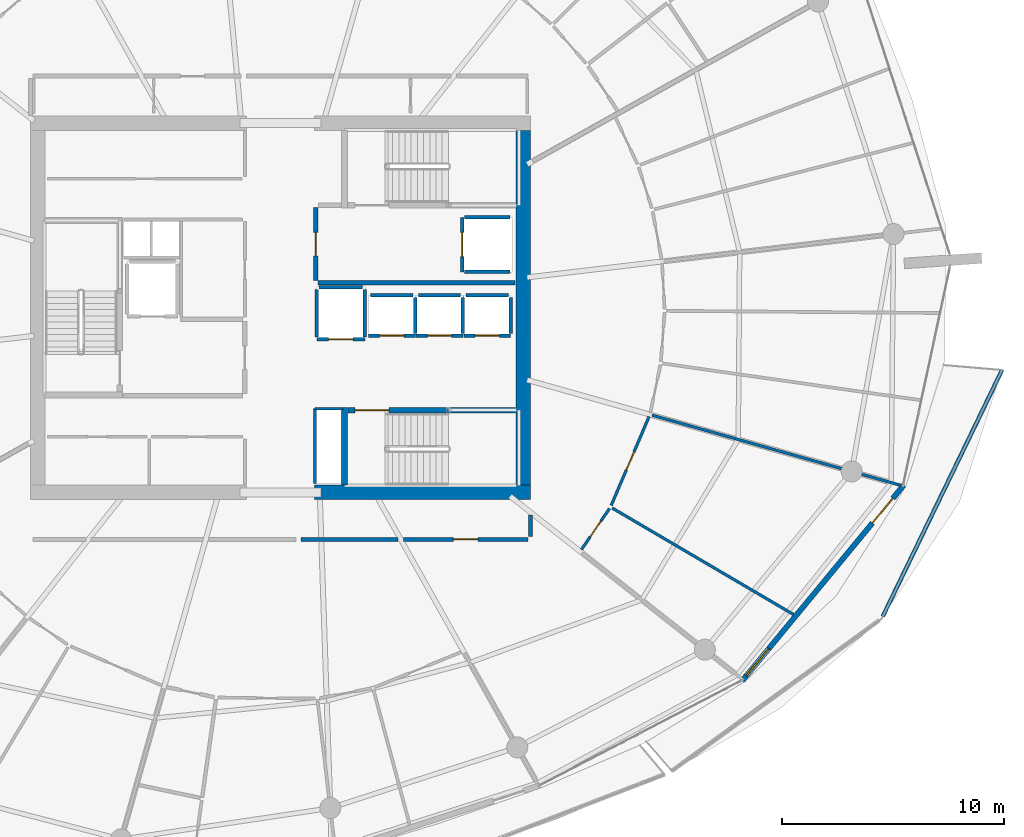
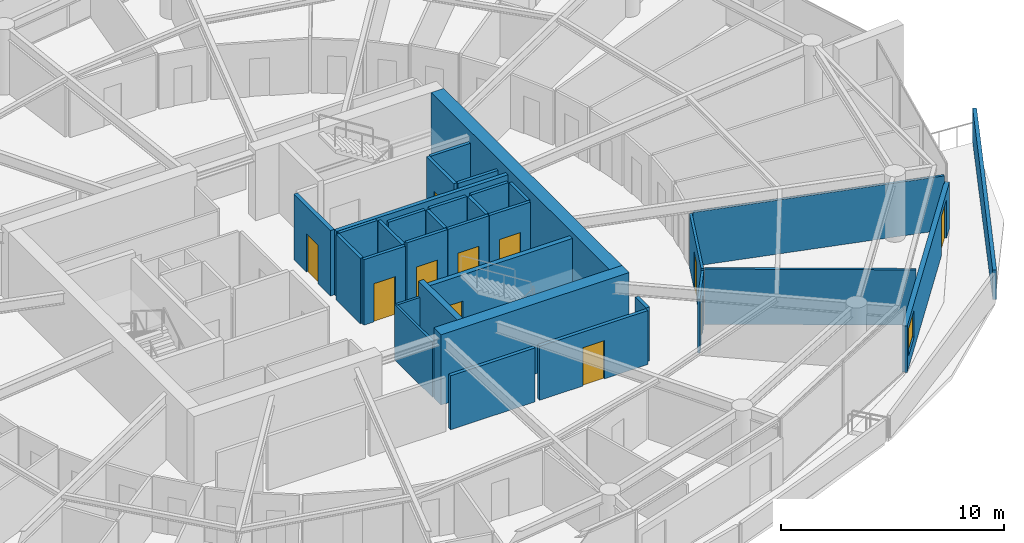
# One storey, part 20 of 30: 33 walls, 11 doors, 1 window, 12 openings.
"""IFC4 building model written with IfcOpenShell, lengths in metres."""

from ifc_helpers import new_model, si_unit, direction, frame, frame_2d, origin, place, context, subcontext, project, spatial, polyline, rectangle, outline, extrude, material, layer, layer_set, type_object, element, fill, save


model = new_model("IFC4")

# Units and contexts
model_context = context("Model", 3, precision=1e-05, world=origin(), true_north=direction((0.0, 1.0)))
body_context = subcontext(model_context, "Body", "Model", "MODEL_VIEW")
ifc_project = project(units=[si_unit("LENGTHUNIT", "METRE"), si_unit("AREAUNIT", "SQUARE_METRE"), si_unit("VOLUMEUNIT", "CUBIC_METRE"), si_unit("PLANEANGLEUNIT", "RADIAN"), si_unit("MASSUNIT", "GRAM", prefix="KILO")], contexts=[model_context])

# Site, building, storey
site_placement = place(None, origin())
site = spatial("IfcSite", under=ifc_project, at=site_placement, CompositionType="ELEMENT")
building_placement = place(site_placement, origin())
building = spatial("IfcBuilding", under=site, at=building_placement, Name="Kazma Halo Residences", CompositionType="ELEMENT")
storey_placement = place(building_placement, frame((0.0, 0.0, 244.39990234375)))
storey = spatial("IfcBuildingStorey", under=building, at=storey_placement, Name="L61", CompositionType="ELEMENT", Elevation=244.39990234375)

# Walls
ifc_material_1 = material(Name="White Concrete C50/60 Balustrade", Category="concrete")
ifc_layer_1 = layer(ifc_material_1, 0.179931640625)
ifc_layer_set_1 = layer_set([ifc_layer_1], Name="White Concrete C50/60 Balustrade")
wall_type_1 = type_object("IfcWallType", Name="WL-BAL-WAVE-180", PredefinedType="PARAPET", material=ifc_layer_set_1)
wall_1_placement = place(storey_placement, frame((75.594482421875, 28.07470703125, 0.0), z_axis=(0.0, 0.0, 1.0), x_axis=(0.435762237374, 0.900061815921, 0.0)))
element("IfcWall", 1, at=wall_1_placement, inside=storey, type_object=wall_type_1, Name="L61 white wave balustrade wall SE.2", PredefinedType="PARAPET", context=body_context, shape_type="SweptSolid", body=[
    extrude(outline(polyline([(0.0, 0.0), (12.362060546875, 0.0), (12.3623046875, 1.860107421875), (6.18115234375, 1.798095703125), (0.0, 1.632080078125), (0.0, 0.0)])), frame((0.0, 0.08984375, 0.0), z_axis=(0.0, -1.0, 0.0), x_axis=(1.0, 0.0, 0.0)), (0.0, 0.0, 1.0), 0.179931640625),
])
ifc_material_2 = material(Name="Concrete C60/75", Category="concrete")
ifc_layer_2 = layer(ifc_material_2, 0.64990234375)
ifc_layer_set_2 = layer_set([ifc_layer_2], Name="Concrete C60/75")
wall_type_2 = type_object("IfcWallType", Name="WL-CORE-650", PredefinedType="SHEAR", material=ifc_layer_set_2)
wall_2_placement = place(storey_placement, frame((49.949951171875, 33.675048828125, 0.0), z_axis=(0.0, 0.0, 1.0), x_axis=(1.0, 0.0, 0.0)))
element("IfcWall", 2, at=wall_2_placement, inside=storey, type_object=wall_type_2, Name="L61 central core shear wall SE", PredefinedType="SHEAR", context=body_context, shape_type="SweptSolid", body=[
    extrude(rectangle(XDim=9.75, YDim=0.64990234375, at=frame_2d((4.875, 0.0))), origin(), (0.0, 0.0, 1.0), 3.85009765625),
])
wall_3_placement = place(storey_placement, frame((59.375, 34.0, 0.0), z_axis=(0.0, 0.0, 1.0), x_axis=(0.0, 1.0, 0.0)))
element("IfcWall", 3, at=wall_3_placement, inside=storey, type_object=wall_type_2, Name="L61 central core shear wall E", PredefinedType="SHEAR", context=body_context, shape_type="SweptSolid", body=[
    extrude(rectangle(XDim=16.0, YDim=0.64990234375, at=frame_2d((8.0, 0.0))), origin(), (0.0, 0.0, 1.0), 3.85009765625),
])
ifc_layer_3 = layer(ifc_material_2, 0.280029296875)
ifc_layer_set_3 = layer_set([ifc_layer_3], Name="Concrete C60/75")
wall_type_3 = type_object("IfcWallType", Name="WL-CORE-ST-280", PredefinedType="SHEAR", material=ifc_layer_set_3)
wall_4_placement = place(storey_placement, frame((51.31005859375, 34.0, 0.0), z_axis=(0.0, 0.0, 1.0), x_axis=(0.0, 1.0, 0.0)))
element("IfcWall", 4, at=wall_4_placement, inside=storey, type_object=wall_type_3, Name="L61 stairwell bearing wall ST03-W", PredefinedType="SHEAR", context=body_context, shape_type="SweptSolid", body=[
    extrude(rectangle(XDim=3.5, YDim=0.280029296875, at=frame_2d((1.75, 0.0))), origin(), (0.0, 0.0, 1.0), 3.85009765625),
])

# Wall, opening, door
ifc_material_3 = material(Name="Acoustic Twin-Stud Gypsum")
ifc_layer_4 = layer(ifc_material_3, 0.179931640625)
ifc_layer_set_4 = layer_set([ifc_layer_4], Name="Acoustic Twin-Stud Gypsum")
wall_type_4 = type_object("IfcWallType", Name="WL-DEM-180", PredefinedType="PARTITIONING", material=ifc_layer_set_4)
wall_5_placement = place(storey_placement, frame((53.972412109375, 31.550048828125, 0.0), z_axis=(0.0, 0.0, 1.0), x_axis=(1.0, 0.0, 0.0)))
wall_5 = element("IfcWall", 5, at=wall_5_placement, inside=storey, type_object=wall_type_4, Name="L61 Apartment 2 entrance corridor wall", PredefinedType="PARTITIONING", context=body_context, shape_type="SweptSolid", body=[
    extrude(rectangle(XDim=5.607666015625, YDim=0.179931640625, at=frame_2d((2.8037109375, 0.0))), origin(), (0.0, 0.0, 1.0), 2.95703125),
])
opening_1_placement = place(wall_5_placement, frame((2.25390625, 0.0, 0.0)))
opening_1 = element("IfcOpeningElement", 6, at=opening_1_placement, cuts=wall_5, Name="Opening DA-1100", PredefinedType="OPENING", context=body_context, shape_type="SweptSolid", body=[
    extrude(rectangle(XDim=1.10009765625, YDim=2.10009765625, at=frame_2d((0.550048828125, 1.050048828125))), frame((0.0, 0.099853515625, 0.0), z_axis=(0.0, -1.0, 0.0), x_axis=(1.0, 0.0, 0.0)), (0.0, 0.0, 1.0), 0.199951171875),
])
ifc_material_4 = material(Name="Acoustic Walnut Fire Leaf")
door_type_1 = type_object("IfcDoorType", Name="DR-FD60-1100", OperationType="NOTDEFINED", PredefinedType="DOOR", material=ifc_material_4)
door_1_placement = place(opening_1_placement, origin())
door_1 = element("IfcDoor", 7, at=door_1_placement, inside=storey, type_object=door_type_1, Name="L61 Apartment 2 entrance fire door", OperationType="SINGLE_SWING_RIGHT", OverallHeight=2.10009765625, OverallWidth=1.10009765625, PredefinedType="DOOR", context=body_context, shape_type="SweptSolid", body=[
    extrude(rectangle(XDim=1.10009765625, YDim=2.10009765625, at=frame_2d((0.550048828125, 1.050048828125))), frame((0.0, 0.02490234375, 0.0), z_axis=(0.0, -1.0, 0.0), x_axis=(1.0, 0.0, 0.0)), (0.0, 0.0, 1.0), 0.050048828125),
])
fill(opening_1, door_1)

# Walls
wall_6_placement = place(storey_placement, frame((59.699951171875, 31.669921875, 0.0), z_axis=(0.0, 0.0, 1.0), x_axis=(0.0, 1.0, 0.0)))
element("IfcWall", 8, at=wall_6_placement, inside=storey, type_object=wall_type_4, Name="L61 Apartment 2 entrance corridor wall", PredefinedType="PARTITIONING", context=body_context, shape_type="SweptSolid", body=[
    extrude(rectangle(XDim=0.986572265625, YDim=0.179931640625, at=frame_2d((0.4931640625, 0.0))), origin(), (0.0, 0.0, 1.0), 2.95703125),
])
wall_7_placement = place(storey_placement, frame((49.356689453125, 31.550048828125, 0.0), z_axis=(0.0, 0.0, 1.0), x_axis=(1.0, 0.0, 0.0)))
element("IfcWall", 9, at=wall_7_placement, inside=storey, type_object=wall_type_4, Name="L61 Apartment 2 inner wall 11", PredefinedType="PARTITIONING", context=body_context, shape_type="SweptSolid", body=[
    extrude(rectangle(XDim=4.375732421875, YDim=0.179931640625, at=frame_2d((2.18798828125, 0.0))), origin(), (0.0, 0.0, 1.0), 2.95703125),
])

# Wall, openings, door, window
ifc_material_5 = material(Name="Insulated Pale-Metal Composite Wall")
ifc_layer_5 = layer(ifc_material_5, 0.239990234375)
ifc_layer_set_5 = layer_set([ifc_layer_5], Name="Insulated Pale-Metal Composite Wall")
wall_type_5 = type_object("IfcWallType", Name="WL-EXT-HOST-240", PredefinedType="SOLIDWALL", material=ifc_layer_set_5)
wall_8_placement = place(storey_placement, frame((69.2578125, 25.177978515625, 0.0), z_axis=(0.0, 0.0, 1.0), x_axis=(0.636680093065, 0.771128043255, 0.0)))
wall_8 = element("IfcWall", 10, at=wall_8_placement, inside=storey, type_object=wall_type_5, Name="L61 exterior terrace-access wall B14", PredefinedType="SOLIDWALL", context=body_context, shape_type="SweptSolid", body=[
    extrude(rectangle(XDim=11.438232421875, YDim=0.239990234375, at=frame_2d((5.71923828125, 0.0))), origin(), (0.0, 0.0, 1.0), 2.5400390625),
])
opening_2_placement = place(wall_8_placement, frame((9.21826171875, 0.0, 0.0)))
opening_2 = element("IfcOpeningElement", 11, at=opening_2_placement, cuts=wall_8, Name="Opening DTR-1600", PredefinedType="OPENING", context=body_context, shape_type="SweptSolid", body=[
    extrude(rectangle(XDim=1.449951171875, YDim=2.14990234375, at=frame_2d((0.72509765625, 1.074951171875))), frame((0.0, 0.1298828125, 0.0), z_axis=(0.0, -1.0, 0.0), x_axis=(1.0, 0.0, 0.0)), (0.0, 0.0, 1.0), 0.260009765625),
])
opening_3_placement = place(wall_8_placement, frame((0.280029296875, 0.0, 0.64990234375)))
opening_3 = element("IfcOpeningElement", 12, at=opening_3_placement, cuts=wall_8, Name="Opening W-1800", PredefinedType="OPENING", context=body_context, shape_type="SweptSolid", body=[
    extrude(rectangle(XDim=1.60009765625, YDim=1.5, at=frame_2d((0.800048828125, 0.75))), frame((0.0, 0.1298828125, 0.0), z_axis=(0.0, -1.0, 0.0), x_axis=(1.0, 0.0, 0.0)), (0.0, 0.0, 1.0), 0.260009765625),
])
ifc_material_6 = material(Name="Aluminium AW-6063 T6 Double-Glazed Terrace Door", Category="aluminium")
door_type_2 = type_object("IfcDoorType", Name="DR-EXT-TERR-1600", OperationType="NOTDEFINED", PredefinedType="DOOR", material=ifc_material_6)
door_2_placement = place(opening_2_placement, origin())
door_2 = element("IfcDoor", 13, at=door_2_placement, inside=storey, type_object=door_type_2, Name="L61 B14 balcony terrace door", OperationType="DOUBLE_DOOR_SLIDING", OverallHeight=2.14990234375, OverallWidth=1.449951171875, PredefinedType="DOOR", context=body_context, shape_type="SweptSolid", body=[
    extrude(rectangle(XDim=1.449951171875, YDim=2.14990234375, at=frame_2d((0.72509765625, 1.074951171875))), frame((0.0, 0.02490234375, 0.0), z_axis=(0.0, -1.0, 0.0), x_axis=(1.0, 0.0, 0.0)), (0.0, 0.0, 1.0), 0.050048828125),
])
fill(opening_2, door_2)
ifc_material_7 = material(Name="Clear Triple-Silver Low-E Glass in Aluminium AW-6063 T6 Frame", Category="aluminium")
window_type = type_object("IfcWindowType", Name="WIN-RES-1800", PartitioningType="DOUBLE_PANEL_VERTICAL", PredefinedType="WINDOW", material=ifc_material_7)
window_placement = place(opening_3_placement, origin())
window = element("IfcWindow", 14, at=window_placement, inside=storey, type_object=window_type, Name="L61 B14 apartment window", OverallHeight=1.5, OverallWidth=1.60009765625, PartitioningType="SINGLE_PANEL", PredefinedType="WINDOW", context=body_context, shape_type="SweptSolid", body=[
    extrude(rectangle(XDim=1.60009765625, YDim=1.5, at=frame_2d((0.800048828125, 0.75))), frame((0.0, 0.030029296875, 0.0), z_axis=(0.0, -1.0, 0.0), x_axis=(1.0, 0.0, 0.0)), (0.0, 0.0, 1.0), 0.06005859375),
])
fill(opening_3, window)

# Wall, opening, door
ifc_material_8 = material(Name="Fire-Rated Blockwork Masonry", Category="masonry")
ifc_layer_6 = layer(ifc_material_8, 0.199951171875)
ifc_layer_set_6 = layer_set([ifc_layer_6], Name="Fire-Rated Blockwork Masonry")
wall_type_6 = type_object("IfcWallType", Name="WL-FLB-200", PredefinedType="PARTITIONING", material=ifc_layer_set_6)
wall_9_placement = place(storey_placement, frame((54.5048828125, 40.7451171875, 0.0), z_axis=(0.0, 0.0, 1.0), x_axis=(-1.0, 0.0, 0.0)))
wall_9 = element("IfcWall", 15, at=wall_9_placement, inside=storey, type_object=wall_type_6, Name="L61 lift shaft PH-01 front wall", PredefinedType="PARTITIONING", context=body_context, shape_type="SweptSolid", body=[
    extrude(rectangle(XDim=2.10986328125, YDim=0.159912109375, at=frame_2d((1.054931640625, 0.0))), origin(), (0.0, 0.0, 1.0), 3.590087890625),
])
opening_4_placement = place(wall_9_placement, frame((0.5048828125, 0.0, 0.0)))
opening_4 = element("IfcOpeningElement", 16, at=opening_4_placement, cuts=wall_9, Name="Opening LD-PH-01", PredefinedType="OPENING", context=body_context, shape_type="SweptSolid", body=[
    extrude(rectangle(XDim=1.10009765625, YDim=2.10009765625, at=frame_2d((0.550048828125, 1.050048828125))), frame((0.0, 0.08984375, 0.0), z_axis=(0.0, -1.0, 0.0), x_axis=(1.0, 0.0, 0.0)), (0.0, 0.0, 1.0), 0.179931640625),
])
ifc_material_9 = material(Name="Stainless Steel Fire-Rated", Category="steel")
door_type_3 = type_object("IfcDoorType", Name="DR-LIFT-SLD-1100", OperationType="DOUBLE_DOOR_SLIDING", PredefinedType="DOOR", material=ifc_material_9)
door_3_placement = place(opening_4_placement, origin())
door_3 = element("IfcDoor", 17, at=door_3_placement, inside=storey, type_object=door_type_3, Name="L61 lift PH-01 sliding landing door", OperationType="DOUBLE_DOOR_SLIDING", OverallHeight=2.10009765625, OverallWidth=1.10009765625, PredefinedType="DOOR", context=body_context, shape_type="SweptSolid", body=[
    extrude(rectangle(XDim=1.10009765625, YDim=2.10009765625, at=frame_2d((0.550048828125, 1.050048828125))), frame((0.0, 0.02490234375, 0.0), z_axis=(0.0, -1.0, 0.0), x_axis=(1.0, 0.0, 0.0)), (0.0, 0.0, 1.0), 0.050048828125),
])
fill(opening_4, door_3)

# Walls
wall_10_placement = place(storey_placement, frame((54.5048828125, 40.844970703125, 0.0), z_axis=(0.0, 0.0, 1.0), x_axis=(0.0, 1.0, 0.0)))
element("IfcWall", 18, at=wall_10_placement, inside=storey, type_object=wall_type_6, Name="L61 lift shaft PH-01 side wall E", PredefinedType="PARTITIONING", context=body_context, shape_type="SweptSolid", body=[
    extrude(rectangle(XDim=1.610107421875, YDim=0.159912109375, at=frame_2d((0.80517578125, 0.0))), origin(), (0.0, 0.0, 1.0), 3.590087890625),
])
wall_11_placement = place(storey_placement, frame((52.4951171875, 42.554931640625, 0.0), z_axis=(0.0, 0.0, 1.0), x_axis=(1.0, 0.0, 0.0)))
element("IfcWall", 19, at=wall_11_placement, inside=storey, type_object=wall_type_6, Name="L61 lift shaft PH-01 side wall N", PredefinedType="PARTITIONING", context=body_context, shape_type="SweptSolid", body=[
    extrude(rectangle(XDim=1.909912109375, YDim=0.159912109375, at=frame_2d((0.955078125, 0.0))), origin(), (0.0, 0.0, 1.0), 3.590087890625),
])

# Wall, opening, door
wall_12_placement = place(storey_placement, frame((56.655029296875, 40.7451171875, 0.0), z_axis=(0.0, 0.0, 1.0), x_axis=(-1.0, 0.0, 0.0)))
wall_12 = element("IfcWall", 20, at=wall_12_placement, inside=storey, type_object=wall_type_6, Name="L61 lift shaft PH-02 front wall", PredefinedType="PARTITIONING", context=body_context, shape_type="SweptSolid", body=[
    extrude(rectangle(XDim=2.110107421875, YDim=0.159912109375, at=frame_2d((1.05517578125, 0.0))), origin(), (0.0, 0.0, 1.0), 3.590087890625),
])
opening_5_placement = place(wall_12_placement, frame((0.5048828125, 0.0, 0.0)))
opening_5 = element("IfcOpeningElement", 21, at=opening_5_placement, cuts=wall_12, Name="Opening LD-PH-02", PredefinedType="OPENING", context=body_context, shape_type="SweptSolid", body=[
    extrude(rectangle(XDim=1.10009765625, YDim=2.10009765625, at=frame_2d((0.550048828125, 1.050048828125))), frame((0.0, 0.08984375, 0.0), z_axis=(0.0, -1.0, 0.0), x_axis=(1.0, 0.0, 0.0)), (0.0, 0.0, 1.0), 0.179931640625),
])
door_4_placement = place(opening_5_placement, origin())
door_4 = element("IfcDoor", 22, at=door_4_placement, inside=storey, type_object=door_type_3, Name="L61 lift PH-02 sliding landing door", OperationType="DOUBLE_DOOR_SLIDING", OverallHeight=2.10009765625, OverallWidth=1.10009765625, PredefinedType="DOOR", context=body_context, shape_type="SweptSolid", body=[
    extrude(rectangle(XDim=1.10009765625, YDim=2.10009765625, at=frame_2d((0.550048828125, 1.050048828125))), frame((0.0, 0.02490234375, 0.0), z_axis=(0.0, -1.0, 0.0), x_axis=(1.0, 0.0, 0.0)), (0.0, 0.0, 1.0), 0.050048828125),
])
fill(opening_5, door_4)

# Walls
wall_13_placement = place(storey_placement, frame((56.655029296875, 40.844970703125, 0.0), z_axis=(0.0, 0.0, 1.0), x_axis=(0.0, 1.0, 0.0)))
element("IfcWall", 23, at=wall_13_placement, inside=storey, type_object=wall_type_6, Name="L61 lift shaft PH-02 side wall E", PredefinedType="PARTITIONING", context=body_context, shape_type="SweptSolid", body=[
    extrude(rectangle(XDim=1.610107421875, YDim=0.159912109375, at=frame_2d((0.80517578125, 0.0))), origin(), (0.0, 0.0, 1.0), 3.590087890625),
])
wall_14_placement = place(storey_placement, frame((54.64501953125, 42.554931640625, 0.0), z_axis=(0.0, 0.0, 1.0), x_axis=(1.0, 0.0, 0.0)))
element("IfcWall", 24, at=wall_14_placement, inside=storey, type_object=wall_type_6, Name="L61 lift shaft PH-02 side wall N", PredefinedType="PARTITIONING", context=body_context, shape_type="SweptSolid", body=[
    extrude(rectangle(XDim=1.909912109375, YDim=0.159912109375, at=frame_2d((0.955078125, 0.0))), origin(), (0.0, 0.0, 1.0), 3.590087890625),
])

# Wall, opening, door
wall_15_placement = place(storey_placement, frame((58.804931640625, 40.7451171875, 0.0), z_axis=(0.0, 0.0, 1.0), x_axis=(-1.0, 0.0, 0.0)))
wall_15 = element("IfcWall", 25, at=wall_15_placement, inside=storey, type_object=wall_type_6, Name="L61 lift shaft PH-03 front wall", PredefinedType="PARTITIONING", context=body_context, shape_type="SweptSolid", body=[
    extrude(rectangle(XDim=2.10986328125, YDim=0.159912109375, at=frame_2d((1.054931640625, 0.0))), origin(), (0.0, 0.0, 1.0), 3.590087890625),
])
opening_6_placement = place(wall_15_placement, frame((0.5048828125, 0.0, 0.0)))
opening_6 = element("IfcOpeningElement", 26, at=opening_6_placement, cuts=wall_15, Name="Opening LD-PH-03", PredefinedType="OPENING", context=body_context, shape_type="SweptSolid", body=[
    extrude(rectangle(XDim=1.10009765625, YDim=2.10009765625, at=frame_2d((0.550048828125, 1.050048828125))), frame((0.0, 0.08984375, 0.0), z_axis=(0.0, -1.0, 0.0), x_axis=(1.0, 0.0, 0.0)), (0.0, 0.0, 1.0), 0.179931640625),
])
door_5_placement = place(opening_6_placement, origin())
door_5 = element("IfcDoor", 27, at=door_5_placement, inside=storey, type_object=door_type_3, Name="L61 lift PH-03 sliding landing door", OperationType="DOUBLE_DOOR_SLIDING", OverallHeight=2.10009765625, OverallWidth=1.10009765625, PredefinedType="DOOR", context=body_context, shape_type="SweptSolid", body=[
    extrude(rectangle(XDim=1.10009765625, YDim=2.10009765625, at=frame_2d((0.550048828125, 1.050048828125))), frame((0.0, 0.02490234375, 0.0), z_axis=(0.0, -1.0, 0.0), x_axis=(1.0, 0.0, 0.0)), (0.0, 0.0, 1.0), 0.050048828125),
])
fill(opening_6, door_5)

# Walls
wall_16_placement = place(storey_placement, frame((58.804931640625, 40.844970703125, 0.0), z_axis=(0.0, 0.0, 1.0), x_axis=(0.0, 1.0, 0.0)))
element("IfcWall", 28, at=wall_16_placement, inside=storey, type_object=wall_type_6, Name="L61 lift shaft PH-03 side wall E", PredefinedType="PARTITIONING", context=body_context, shape_type="SweptSolid", body=[
    extrude(rectangle(XDim=1.610107421875, YDim=0.159912109375, at=frame_2d((0.80517578125, 0.0))), origin(), (0.0, 0.0, 1.0), 3.590087890625),
])
wall_17_placement = place(storey_placement, frame((56.794921875, 42.554931640625, 0.0), z_axis=(0.0, 0.0, 1.0), x_axis=(1.0, 0.0, 0.0)))
element("IfcWall", 29, at=wall_17_placement, inside=storey, type_object=wall_type_6, Name="L61 lift shaft PH-03 side wall N", PredefinedType="PARTITIONING", context=body_context, shape_type="SweptSolid", body=[
    extrude(rectangle(XDim=1.91015625, YDim=0.159912109375, at=frame_2d((0.955078125, 0.0))), origin(), (0.0, 0.0, 1.0), 3.590087890625),
])

# Wall, opening, door
wall_18_placement = place(storey_placement, frame((56.6201171875, 46.080078125, 0.0), z_axis=(0.0, 0.0, 1.0), x_axis=(0.0, -1.0, 0.0)))
wall_18 = element("IfcWall", 30, at=wall_18_placement, inside=storey, type_object=wall_type_6, Name="L61 lift shaft FL-02 front wall", PredefinedType="PARTITIONING", context=body_context, shape_type="SweptSolid", body=[
    extrude(rectangle(XDim=2.4599609375, YDim=0.159912109375, at=frame_2d((1.22998046875, 0.0))), origin(), (0.0, 0.0, 1.0), 3.590087890625),
])
opening_7_placement = place(wall_18_placement, frame((0.679931640625, 0.0, 0.0)))
opening_7 = element("IfcOpeningElement", 31, at=opening_7_placement, cuts=wall_18, Name="Opening LD-FL-02", PredefinedType="OPENING", context=body_context, shape_type="SweptSolid", body=[
    extrude(rectangle(XDim=1.10009765625, YDim=2.10009765625, at=frame_2d((0.550048828125, 1.050048828125))), frame((0.0, 0.08984375, 0.0), z_axis=(0.0, -1.0, 0.0), x_axis=(1.0, 0.0, 0.0)), (0.0, 0.0, 1.0), 0.179931640625),
])
door_6_placement = place(opening_7_placement, origin())
door_6 = element("IfcDoor", 32, at=door_6_placement, inside=storey, type_object=door_type_3, Name="L61 lift FL-02 sliding landing door", OperationType="DOUBLE_DOOR_SLIDING", OverallHeight=2.10009765625, OverallWidth=1.10009765625, PredefinedType="DOOR", context=body_context, shape_type="SweptSolid", body=[
    extrude(rectangle(XDim=1.10009765625, YDim=2.10009765625, at=frame_2d((0.550048828125, 1.050048828125))), frame((0.0, 0.02490234375, 0.0), z_axis=(0.0, -1.0, 0.0), x_axis=(1.0, 0.0, 0.0)), (0.0, 0.0, 1.0), 0.050048828125),
])
fill(opening_7, door_6)

# Walls
for number, where, z_axis, x_axis, name in (
    (33, (56.719970703125, 46.080078125, 0.0), (0.0, 0.0, 1.0), (1.0, 0.0, 0.0), "L61 lift shaft FL-02 side wall N"),
    (34, (56.719970703125, 43.6201171875, 0.0), (0.0, 0.0, 1.0), (1.0, 0.0, 0.0), "L61 lift shaft FL-02 side wall S"),
):
    element("IfcWall", number, at=place(storey_placement, frame(where, z_axis=z_axis, x_axis=x_axis)), inside=storey, type_object=wall_type_6, Name=name, PredefinedType="PARTITIONING", context=body_context, shape_type="SweptSolid", body=[
        extrude(rectangle(XDim=2.06005859375, YDim=0.159912109375, at=frame_2d((1.030029296875, 0.0))), origin(), (0.0, 0.0, 1.0), 3.590087890625),
    ])

# Wall, opening, door
wall_19_placement = place(storey_placement, frame((52.22998046875, 40.570068359375, 0.0), z_axis=(0.0, 0.0, 1.0), x_axis=(-1.0, 0.0, 0.0)))
wall_19 = element("IfcWall", 35, at=wall_19_placement, inside=storey, type_object=wall_type_6, Name="L61 lift shaft SV-01 front wall", PredefinedType="PARTITIONING", context=body_context, shape_type="SweptSolid", body=[
    extrude(rectangle(XDim=2.159912109375, YDim=0.159912109375, at=frame_2d((1.080078125, 0.0))), origin(), (0.0, 0.0, 1.0), 3.590087890625),
])
opening_8_placement = place(wall_19_placement, frame((0.530029296875, 0.0, 0.0)))
opening_8 = element("IfcOpeningElement", 36, at=opening_8_placement, cuts=wall_19, Name="Opening LD-SV-01", PredefinedType="OPENING", context=body_context, shape_type="SweptSolid", body=[
    extrude(rectangle(XDim=1.10009765625, YDim=2.10009765625, at=frame_2d((0.550048828125, 1.050048828125))), frame((0.0, 0.08984375, 0.0), z_axis=(0.0, -1.0, 0.0), x_axis=(1.0, 0.0, 0.0)), (0.0, 0.0, 1.0), 0.179931640625),
])
door_7_placement = place(opening_8_placement, origin())
door_7 = element("IfcDoor", 37, at=door_7_placement, inside=storey, type_object=door_type_3, Name="L61 lift SV-01 sliding landing door", OperationType="DOUBLE_DOOR_SLIDING", OverallHeight=2.10009765625, OverallWidth=1.10009765625, PredefinedType="DOOR", context=body_context, shape_type="SweptSolid", body=[
    extrude(rectangle(XDim=1.10009765625, YDim=2.10009765625, at=frame_2d((0.550048828125, 1.050048828125))), frame((0.0, 0.02490234375, 0.0), z_axis=(0.0, -1.0, 0.0), x_axis=(1.0, 0.0, 0.0)), (0.0, 0.0, 1.0), 0.050048828125),
])
fill(opening_8, door_7)

# Walls
for number, where, z_axis, x_axis, name in (
    (38, (52.22998046875, 40.669921875, 0.0), (0.0, 0.0, 1.0), (0.0, 1.0, 0.0), "L61 lift shaft SV-01 side wall E"),
    (39, (50.070068359375, 40.669921875, 0.0), (0.0, 0.0, 1.0), (0.0, 1.0, 0.0), "L61 lift shaft SV-01 side wall W"),
):
    element("IfcWall", number, at=place(storey_placement, frame(where, z_axis=z_axis, x_axis=x_axis)), inside=storey, type_object=wall_type_6, Name=name, PredefinedType="PARTITIONING", context=body_context, shape_type="SweptSolid", body=[
        extrude(rectangle(XDim=2.16015625, YDim=0.159912109375, at=frame_2d((1.080078125, 0.0))), origin(), (0.0, 0.0, 1.0), 3.590087890625),
    ])
wall_20_placement = place(storey_placement, frame((50.169921875, 42.929931640625, 0.0), z_axis=(0.0, 0.0, 1.0), x_axis=(1.0, 0.0, 0.0)))
element("IfcWall", 40, at=wall_20_placement, inside=storey, type_object=wall_type_6, Name="L61 lift shaft SV-01 side wall N", PredefinedType="PARTITIONING", context=body_context, shape_type="SweptSolid", body=[
    extrude(rectangle(XDim=1.9599609375, YDim=0.159912109375, at=frame_2d((0.97998046875, 0.0))), origin(), (0.0, 0.0, 1.0), 3.590087890625),
])
wall_21_placement = place(storey_placement, frame((50.1201171875, 43.1201171875, 0.0), z_axis=(0.0, 0.0, 1.0), x_axis=(1.0, 0.0, 0.0)))
element("IfcWall", 41, at=wall_21_placement, inside=storey, type_object=wall_type_6, Name="L61 east firefighting lobby south smoke wall", PredefinedType="PARTITIONING", context=body_context, shape_type="SweptSolid", body=[
    extrude(rectangle(XDim=8.8798828125, YDim=0.199951171875, at=frame_2d((4.43994140625, 0.0))), origin(), (0.0, 0.0, 1.0), 3.590087890625),
])

# Wall, opening, door
wall_22_placement = place(storey_placement, frame((50.02001953125, 43.219970703125, 0.0), z_axis=(0.0, 0.0, 1.0), x_axis=(0.0, 1.0, 0.0)))
wall_22 = element("IfcWall", 42, at=wall_22_placement, inside=storey, type_object=wall_type_6, Name="L61 east firefighting lobby smoke wall", PredefinedType="PARTITIONING", context=body_context, shape_type="SweptSolid", body=[
    extrude(rectangle(XDim=3.300048828125, YDim=0.199951171875, at=frame_2d((1.64990234375, 0.0))), origin(), (0.0, 0.0, 1.0), 3.590087890625),
])
opening_9_placement = place(wall_22_placement, frame((1.125, 0.0, 0.0)))
opening_9 = element("IfcOpeningElement", 43, at=opening_9_placement, cuts=wall_22, Name="Opening D-FLE", PredefinedType="OPENING", context=body_context, shape_type="SweptSolid", body=[
    extrude(rectangle(XDim=1.050048828125, YDim=2.10009765625, at=frame_2d((0.52490234375, 1.050048828125))), frame((0.0, 0.10986328125, 0.0), z_axis=(0.0, -1.0, 0.0), x_axis=(1.0, 0.0, 0.0)), (0.0, 0.0, 1.0), 0.219970703125),
])
ifc_material_10 = material(Name="Fire-Rated Steel Leaf", Category="steel")
door_type_4 = type_object("IfcDoorType", Name="DR-FD90-1050", OperationType="NOTDEFINED", PredefinedType="DOOR", material=ifc_material_10)
door_8_placement = place(opening_9_placement, origin())
door_8 = element("IfcDoor", 44, at=door_8_placement, inside=storey, type_object=door_type_4, Name="L61 east firefighting lobby smoke door", OperationType="SINGLE_SWING_LEFT", OverallHeight=2.10009765625, OverallWidth=1.050048828125, PredefinedType="DOOR", context=body_context, shape_type="SweptSolid", body=[
    extrude(rectangle(XDim=1.050048828125, YDim=2.10009765625, at=frame_2d((0.52490234375, 1.050048828125))), frame((0.0, 0.02490234375, 0.0), z_axis=(0.0, -1.0, 0.0), x_axis=(1.0, 0.0, 0.0)), (0.0, 0.0, 1.0), 0.050048828125),
])
fill(opening_9, door_8)

# Walls
ifc_material_11 = material(Name="Gypsum Plasterboard Partition")
ifc_layer_7 = layer(ifc_material_11, 0.125)
ifc_layer_set_7 = layer_set([ifc_layer_7], Name="Gypsum Plasterboard Partition")
wall_type_7 = type_object("IfcWallType", Name="WL-PART-125", PredefinedType="PARTITIONING", material=ifc_layer_set_7)
wall_23_placement = place(storey_placement, frame((49.97998046875, 34.06005859375, 0.0), z_axis=(0.0, 0.0, 1.0), x_axis=(0.0, 1.0, 0.0)))
element("IfcWall", 45, at=wall_23_placement, inside=storey, type_object=wall_type_7, Name="L61 standpipe riser wall", PredefinedType="PARTITIONING", context=body_context, shape_type="SweptSolid", body=[
    extrude(rectangle(XDim=3.39990234375, YDim=0.125, at=frame_2d((1.699951171875, 0.0))), origin(), (0.0, 0.0, 1.0), 3.030029296875),
])
wall_24_placement = place(storey_placement, frame((49.97998046875, 37.43994140625, 0.0), z_axis=(0.0, 0.0, 1.0), x_axis=(1.0, 0.0, 0.0)))
element("IfcWall", 46, at=wall_24_placement, inside=storey, type_object=wall_type_7, Name="L61 standpipe riser north wall", PredefinedType="PARTITIONING", context=body_context, shape_type="SweptSolid", body=[
    extrude(rectangle(XDim=1.260009765625, YDim=0.125, at=frame_2d((0.6298828125, 0.0))), origin(), (0.0, 0.0, 1.0), 3.030029296875),
])
wall_25_placement = place(storey_placement, frame((63.39013671875, 32.96337890625, 0.0), z_axis=(0.0, 0.0, 1.0), x_axis=(0.862331921897, -0.506343417532, 0.0)))
element("IfcWall", 47, at=wall_25_placement, inside=storey, type_object=wall_type_7, Name="L61 Apartment 2 mid-bay wall 13", PredefinedType="PARTITIONING", context=body_context, shape_type="SweptSolid", body=[
    extrude(rectangle(XDim=9.477783203125, YDim=0.125, at=frame_2d((4.73876953125, 0.0))), origin(), (0.0, 0.0, 1.0), 3.030029296875),
])

# Wall, opening, door
wall_26_placement = place(storey_placement, frame((62.001220703125, 31.08935546875, 0.0), z_axis=(0.0, 0.0, 1.0), x_axis=(0.564052095913, 0.825739204044, 0.0)))
wall_26 = element("IfcWall", 48, at=wall_26_placement, inside=storey, type_object=wall_type_7, Name="L61 Apartment 2 Garden Wine Pantry Store hall wall", PredefinedType="PARTITIONING", context=body_context, shape_type="SweptSolid", body=[
    extrude(rectangle(XDim=2.24462890625, YDim=0.125, at=frame_2d((1.122314453125, 0.0))), origin(), (0.0, 0.0, 1.0), 2.95703125),
])
opening_10_placement = place(wall_26_placement, frame((0.697509765625, 0.0, 0.0)))
opening_10 = element("IfcOpeningElement", 49, at=opening_10_placement, cuts=wall_26, Name="Opening DB-900", PredefinedType="OPENING", context=body_context, shape_type="SweptSolid", body=[
    extrude(rectangle(XDim=0.85009765625, YDim=2.06005859375, at=frame_2d((0.425048828125, 1.030029296875))), frame((0.0, 0.072509765625, 0.0), z_axis=(0.0, -1.0, 0.0), x_axis=(1.0, 0.0, 0.0)), (0.0, 0.0, 1.0), 0.14501953125),
])
ifc_material_12 = material(Name="Moisture-Sealed Timber Leaf", Category="wood")
door_type_5 = type_object("IfcDoorType", Name="DR-BTH-900", OperationType="NOTDEFINED", PredefinedType="DOOR", material=ifc_material_12)
door_9_placement = place(opening_10_placement, origin())
door_9 = element("IfcDoor", 50, at=door_9_placement, inside=storey, type_object=door_type_5, Name="L61 Apartment 2 Garden Wine Pantry Store door", OperationType="SINGLE_SWING_LEFT", OverallHeight=2.06005859375, OverallWidth=0.85009765625, PredefinedType="DOOR", context=body_context, shape_type="SweptSolid", body=[
    extrude(rectangle(XDim=0.85009765625, YDim=2.06005859375, at=frame_2d((0.425048828125, 1.030029296875))), frame((0.0, 0.02490234375, 0.0), z_axis=(0.0, -1.0, 0.0), x_axis=(1.0, 0.0, 0.0)), (0.0, 0.0, 1.0), 0.050048828125),
])
fill(opening_10, door_9)

wall_27_placement = place(storey_placement, frame((63.343994140625, 33.08251953125, 0.0), z_axis=(0.0, 0.0, 1.0), x_axis=(0.392064212371, 0.919937852998, 0.0)))
wall_27 = element("IfcWall", 51, at=wall_27_placement, inside=storey, type_object=wall_type_7, Name="L61 Apartment 2 Sky Formal Dining Room hall wall", PredefinedType="PARTITIONING", context=body_context, shape_type="SweptSolid", body=[
    extrude(rectangle(XDim=4.35400390625, YDim=0.125, at=frame_2d((2.177001953125, 0.0))), origin(), (0.0, 0.0, 1.0), 2.95703125),
])
opening_11_placement = place(wall_27_placement, frame((1.72705078125, 0.0, 0.0)))
opening_11 = element("IfcOpeningElement", 52, at=opening_11_placement, cuts=wall_27, Name="Opening DI-950", PredefinedType="OPENING", context=body_context, shape_type="SweptSolid", body=[
    extrude(rectangle(XDim=0.89990234375, YDim=2.080078125, at=frame_2d((0.449951171875, 1.0400390625))), frame((0.0, 0.072509765625, 0.0), z_axis=(0.0, -1.0, 0.0), x_axis=(1.0, 0.0, 0.0)), (0.0, 0.0, 1.0), 0.14501953125),
])
ifc_material_13 = material(Name="Timber Veneer Flush Leaf", Category="wood")
door_type_6 = type_object("IfcDoorType", Name="DR-INT-950", OperationType="NOTDEFINED", PredefinedType="DOOR", material=ifc_material_13)
door_10_placement = place(opening_11_placement, origin())
door_10 = element("IfcDoor", 53, at=door_10_placement, inside=storey, type_object=door_type_6, Name="L61 Apartment 2 Sky Formal Dining Room door", OperationType="SINGLE_SWING_RIGHT", OverallHeight=2.080078125, OverallWidth=0.89990234375, PredefinedType="DOOR", context=body_context, shape_type="SweptSolid", body=[
    extrude(rectangle(XDim=0.89990234375, YDim=2.080078125, at=frame_2d((0.449951171875, 1.0400390625))), frame((0.0, 0.02490234375, 0.0), z_axis=(0.0, -1.0, 0.0), x_axis=(1.0, 0.0, 0.0)), (0.0, 0.0, 1.0), 0.050048828125),
])
fill(opening_11, door_10)

# Wall
wall_28_placement = place(storey_placement, frame((65.1865234375, 37.15283203125, 0.0), z_axis=(0.0, 0.0, 1.0), x_axis=(0.962455577867, -0.271439239301, 0.0)))
element("IfcWall", 54, at=wall_28_placement, inside=storey, type_object=wall_type_7, Name="L61 Apartment 2 radial partition 14", PredefinedType="PARTITIONING", context=body_context, shape_type="SweptSolid", body=[
    extrude(rectangle(XDim=11.638671875, YDim=0.125, at=frame_2d((5.8193359375, 0.0))), origin(), (0.0, 0.0, 1.0), 2.95703125),
])

# Wall, opening, door
ifc_material_14 = material(Name="Concrete C50/60", Category="concrete")
ifc_layer_8 = layer(ifc_material_14, 0.25)
ifc_layer_set_8 = layer_set([ifc_layer_8], Name="Concrete C50/60")
wall_type_8 = type_object("IfcWallType", Name="WL-SHF-250", PredefinedType="SOLIDWALL", material=ifc_layer_set_8)
wall_29_placement = place(storey_placement, frame((51.47998046875, 37.3798828125, 0.0), z_axis=(0.0, 0.0, 1.0), x_axis=(1.0, 0.0, 0.0)))
wall_29 = element("IfcWall", 55, at=wall_29_placement, inside=storey, type_object=wall_type_8, Name="L61 exit stair ST-03 enclosure wall", PredefinedType="SOLIDWALL", context=body_context, shape_type="SweptSolid", body=[
    extrude(rectangle(XDim=7.5400390625, YDim=0.25, at=frame_2d((3.77001953125, 0.0))), origin(), (0.0, 0.0, 1.0), 3.590087890625),
])
opening_12_placement = place(wall_29_placement, frame((0.300048828125, 0.0, 0.0)))
opening_12 = element("IfcOpeningElement", 56, at=opening_12_placement, cuts=wall_29, Name="Opening D-ST3", PredefinedType="OPENING", context=body_context, shape_type="SweptSolid", body=[
    extrude(rectangle(XDim=1.550048828125, YDim=2.14990234375, at=frame_2d((0.77490234375, 1.074951171875))), frame((0.0, 0.135009765625, 0.0), z_axis=(0.0, -1.0, 0.0), x_axis=(1.0, 0.0, 0.0)), (0.0, 0.0, 1.0), 0.27001953125),
])
ifc_material_15 = material(Name="Fire-Rated Double Steel Leaf", Category="steel")
door_type_7 = type_object("IfcDoorType", Name="DR-FD90-1550", OperationType="NOTDEFINED", PredefinedType="DOOR", material=ifc_material_15)
door_11_placement = place(opening_12_placement, origin())
door_11 = element("IfcDoor", 57, at=door_11_placement, inside=storey, type_object=door_type_7, Name="L61 exit stair ST-03 fire door", OperationType="DOUBLE_DOOR_SINGLE_SWING", OverallHeight=2.14990234375, OverallWidth=1.550048828125, PredefinedType="DOOR", context=body_context, shape_type="SweptSolid", body=[
    extrude(rectangle(XDim=1.550048828125, YDim=2.14990234375, at=frame_2d((0.77490234375, 1.074951171875))), frame((0.0, 0.02490234375, 0.0), z_axis=(0.0, -1.0, 0.0), x_axis=(1.0, 0.0, 0.0)), (0.0, 0.0, 1.0), 0.050048828125),
])
fill(opening_12, door_11)

save(model, "model.ifc")
